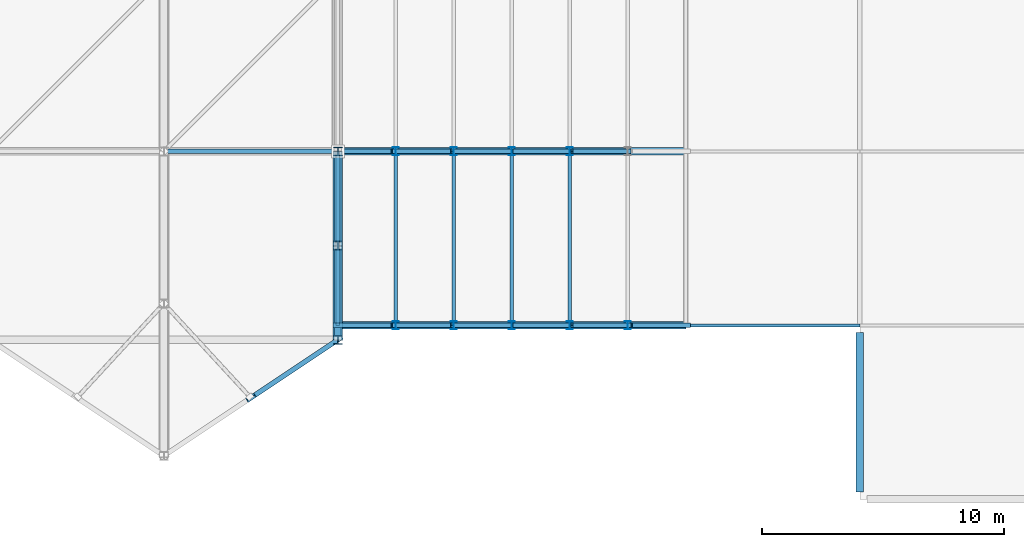
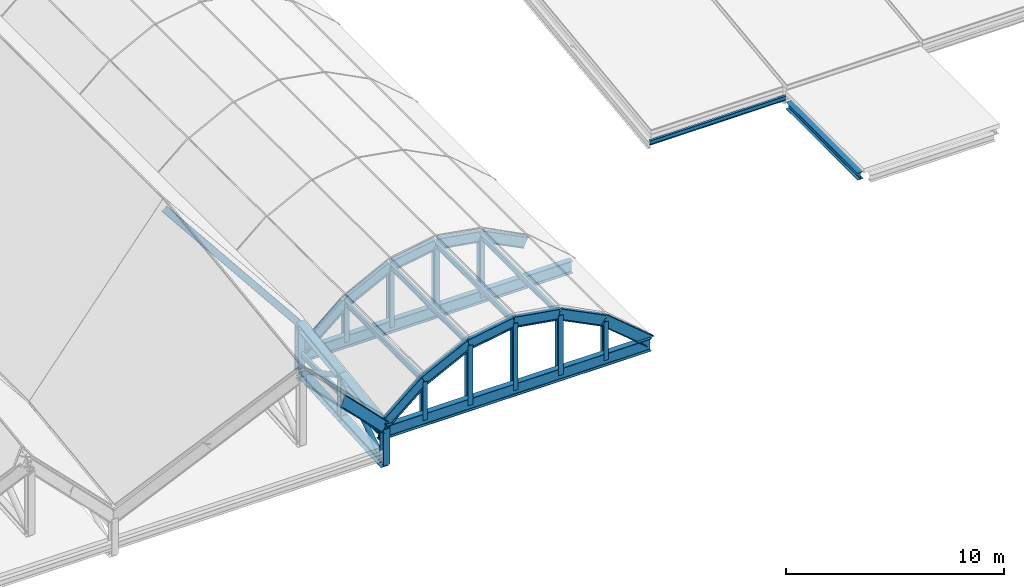
# One storey, part 14 of 60: 37 members, 3 beams.
"""IFC4 building model written with IfcOpenShell, lengths in metres."""

from ifc_helpers import new_model, si_unit, direction, frame, origin, origin_2d, place, context, subcontext, project, spatial, hollow_circle, i_section, extrude, material, material_profile, profile_set, type_object, element, save


model = new_model("IFC4")

# Units and contexts
model_context = context("Model", 3, precision=1e-05, world=origin(), true_north=direction((0.0, 1.0)))
body_context = subcontext(model_context, "Body", "Model", "MODEL_VIEW")
ifc_project = project(units=[si_unit("LENGTHUNIT", "METRE"), si_unit("AREAUNIT", "SQUARE_METRE"), si_unit("VOLUMEUNIT", "CUBIC_METRE"), si_unit("PLANEANGLEUNIT", "RADIAN"), si_unit("MASSUNIT", "GRAM", prefix="KILO")], contexts=[model_context])

# Site, building, storey
site_placement = place(None, origin())
site = spatial("IfcSite", under=ifc_project, at=site_placement, CompositionType="ELEMENT")
building_placement = place(site_placement, origin())
building = spatial("IfcBuilding", under=site, at=building_placement, Name="Vesperath Aquatics Centre", CompositionType="ELEMENT")
storey_placement = place(building_placement, frame((0.0, 0.0, 27.60009765625)))
storey = spatial("IfcBuildingStorey", under=building, at=storey_placement, Name="RF", CompositionType="ELEMENT", Elevation=27.60009765625)

# Beams
ifc_material_1 = material(Name="Steel Q355C", Category="steel")
ifc_material_profile_1 = material_profile(ifc_material_1, i_section(OverallWidth=0.300048828125, OverallDepth=0.389892578125, WebThickness=0.010009765625, FlangeThickness=0.01611328125, FilletRadius=0.02197265625, at=origin_2d()), Name="HM 390x300x10x16")
ifc_profile_set_1 = profile_set([ifc_material_profile_1], Name="Steel Q355C")
beam_type_1 = type_object("IfcBeamType", Name="BM-RB09", PredefinedType="BEAM", material=ifc_profile_set_1)
beam_placement = place(storey_placement, frame((122.39990234375, 0.300048828125, -0.5), z_axis=(0.0, 1.0, 0.0), x_axis=(-1.0, 0.0, 0.0)))
element("IfcBeam", 1, at=beam_placement, inside=storey, type_object=beam_type_1, Name="Core C5 Headhouse Roof Beam B11-W", PredefinedType="BEAM", context=body_context, shape_type="SweptSolid", body=[
    extrude(i_section(OverallWidth=0.300048828125, OverallDepth=0.389892578125, WebThickness=0.010009765625, FlangeThickness=0.01611328125, FilletRadius=0.02197265625, at=origin_2d()), origin(), (0.0, 0.0, 1.0), 6.599853515625),
])
ifc_material_2 = material(Name="Steel Q355D", Category="steel")
ifc_material_profile_2 = material_profile(ifc_material_2, i_section(OverallWidth=0.300048828125, OverallDepth=0.699951171875, WebThickness=0.012939453125, FlangeThickness=0.02392578125, FilletRadius=0.028076171875, at=origin_2d()), Name="HN 700x300x13x24")
ifc_profile_set_2 = profile_set([ifc_material_profile_2], Name="Steel Q355D")
beam_type_2 = type_object("IfcBeamType", Name="BM-RB10", PredefinedType="BEAM", material=ifc_profile_set_2)
for number, where, z_axis, x_axis, name in (
    (2, (100.800048828125, 7.199951171875, -11.550048828125), (1.0, 0.0, 0.0), (0.0, 1.0, 0.0), "Conservatory Arch Tie Beam B08 B"),
    (3, (100.800048828125, 14.39990234375, -11.550048828125), (1.0, 0.0, 0.0), (0.0, 1.0, 0.0), "Conservatory Arch Tie Beam B08 C"),
):
    element("IfcBeam", number, at=place(storey_placement, frame(where, z_axis=z_axis, x_axis=x_axis)), inside=storey, type_object=beam_type_2, Name=name, PredefinedType="BEAM", context=body_context, shape_type="SweptSolid", body=[
        extrude(i_section(OverallWidth=0.300048828125, OverallDepth=0.699951171875, WebThickness=0.012939453125, FlangeThickness=0.02392578125, FilletRadius=0.028076171875, at=origin_2d()), origin(), (0.0, 0.0, 1.0), 14.39990234375),
    ])

# Members
ifc_material_profile_3 = material_profile(ifc_material_2, i_section(OverallWidth=0.199951171875, OverallDepth=0.60009765625, WebThickness=0.010986328125, FlangeThickness=0.01708984375, FilletRadius=0.02197265625, at=origin_2d()), Name="HN 600x200x11x17")
ifc_profile_set_3 = profile_set([ifc_material_profile_3], Name="Steel Q355D")
member_type_1 = type_object("IfcMemberType", Name="MB-AR01", PredefinedType="RAFTER", material=ifc_profile_set_3)
member_1_placement = place(storey_placement, frame((100.800048828125, 6.60009765625, -10.8408203125), z_axis=(-0.598412396248, -0.398955124611, 0.694793071759), x_axis=(0.554713217289, -0.832041613482, 0.0)))
element("IfcMember", 4, at=member_1_placement, inside=storey, type_object=member_type_1, Name="Natatorium Cutback Hood Verge Rafter AR01 B14A", PredefinedType="RAFTER", context=body_context, shape_type="SweptSolid", body=[
    extrude(i_section(OverallWidth=0.199951171875, OverallDepth=0.60009765625, WebThickness=0.010986328125, FlangeThickness=0.01708984375, FilletRadius=0.02197265625, at=origin_2d()), origin(), (0.0, 0.0, 1.0), 6.01611328125),
])
member_2_placement = place(storey_placement, frame((100.800048828125, 7.199951171875, -11.400146484375), z_axis=(0.768208468069, 0.0, 0.640199773186), x_axis=(0.0, 1.0, 0.0)))
element("IfcMember", 5, at=member_2_placement, inside=storey, type_object=member_type_1, Name="Conservatory Vault Arch Rib AR01 B-1", PredefinedType="RAFTER", context=body_context, shape_type="SweptSolid", body=[
    extrude(i_section(OverallWidth=0.199951171875, OverallDepth=0.60009765625, WebThickness=0.010986328125, FlangeThickness=0.01708984375, FilletRadius=0.02197265625, at=origin_2d()), origin(), (0.0, 0.0, 1.0), 3.1240234375),
])
member_3_placement = place(storey_placement, frame((103.199951171875, 7.199951171875, -9.400146484375), z_axis=(0.894445386687, 0.0, 0.447177202275), x_axis=(0.0, 1.0, 0.0)))
element("IfcMember", 6, at=member_3_placement, inside=storey, type_object=member_type_1, Name="Conservatory Vault Arch Rib AR01 B-2", PredefinedType="RAFTER", context=body_context, shape_type="SweptSolid", body=[
    extrude(i_section(OverallWidth=0.199951171875, OverallDepth=0.60009765625, WebThickness=0.010986328125, FlangeThickness=0.01708984375, FilletRadius=0.02197265625, at=origin_2d()), origin(), (0.0, 0.0, 1.0), 2.683349609375),
])
for number, where, z_axis, x_axis, name in (
    (7, (105.60009765625, 7.199951171875, -8.2001953125), (0.986383073668, 0.0, 0.16446407505), (0.0, 1.0, 0.0), "Conservatory Vault Arch Rib AR01 B-3"),
    (8, (108.0, 7.199951171875, -7.800048828125), (0.986383073668, 0.0, -0.16446407505), (0.0, 1.0, 0.0), "Conservatory Vault Arch Rib AR01 B-4"),
):
    element("IfcMember", number, at=place(storey_placement, frame(where, z_axis=z_axis, x_axis=x_axis)), inside=storey, type_object=member_type_1, Name=name, PredefinedType="RAFTER", context=body_context, shape_type="SweptSolid", body=[
        extrude(i_section(OverallWidth=0.199951171875, OverallDepth=0.60009765625, WebThickness=0.010986328125, FlangeThickness=0.01708984375, FilletRadius=0.02197265625, at=origin_2d()), origin(), (0.0, 0.0, 1.0), 2.43310546875),
    ])
member_4_placement = place(storey_placement, frame((110.39990234375, 7.199951171875, -8.2001953125), z_axis=(0.894445386687, 0.0, -0.447177202275), x_axis=(0.0, 1.0, 0.0)))
element("IfcMember", 9, at=member_4_placement, inside=storey, type_object=member_type_1, Name="Conservatory Vault Arch Rib AR01 B-5", PredefinedType="RAFTER", context=body_context, shape_type="SweptSolid", body=[
    extrude(i_section(OverallWidth=0.199951171875, OverallDepth=0.60009765625, WebThickness=0.010986328125, FlangeThickness=0.01708984375, FilletRadius=0.02197265625, at=origin_2d()), origin(), (0.0, 0.0, 1.0), 2.683349609375),
])
for number, where, z_axis, x_axis, name in (
    (10, (112.800048828125, 7.199951171875, -9.400146484375), (0.768208468069, 0.0, -0.640199773186), (0.0, 1.0, 0.0), "Conservatory Vault Arch Rib AR01 B-6"),
    (11, (100.800048828125, 14.39990234375, -11.400146484375), (0.768208468069, 0.0, 0.640199773186), (0.0, 1.0, 0.0), "Conservatory Vault Arch Rib AR01 C-1"),
):
    element("IfcMember", number, at=place(storey_placement, frame(where, z_axis=z_axis, x_axis=x_axis)), inside=storey, type_object=member_type_1, Name=name, PredefinedType="RAFTER", context=body_context, shape_type="SweptSolid", body=[
        extrude(i_section(OverallWidth=0.199951171875, OverallDepth=0.60009765625, WebThickness=0.010986328125, FlangeThickness=0.01708984375, FilletRadius=0.02197265625, at=origin_2d()), origin(), (0.0, 0.0, 1.0), 3.1240234375),
    ])
member_5_placement = place(storey_placement, frame((103.199951171875, 14.39990234375, -9.400146484375), z_axis=(0.894445386687, 0.0, 0.447177202275), x_axis=(0.0, 1.0, 0.0)))
element("IfcMember", 12, at=member_5_placement, inside=storey, type_object=member_type_1, Name="Conservatory Vault Arch Rib AR01 C-2", PredefinedType="RAFTER", context=body_context, shape_type="SweptSolid", body=[
    extrude(i_section(OverallWidth=0.199951171875, OverallDepth=0.60009765625, WebThickness=0.010986328125, FlangeThickness=0.01708984375, FilletRadius=0.02197265625, at=origin_2d()), origin(), (0.0, 0.0, 1.0), 2.683349609375),
])
for number, where, z_axis, x_axis, name in (
    (13, (105.60009765625, 14.39990234375, -8.2001953125), (0.986383073668, 0.0, 0.16446407505), (0.0, 1.0, 0.0), "Conservatory Vault Arch Rib AR01 C-3"),
    (14, (108.0, 14.39990234375, -7.800048828125), (0.986383073668, 0.0, -0.16446407505), (0.0, 1.0, 0.0), "Conservatory Vault Arch Rib AR01 C-4"),
):
    element("IfcMember", number, at=place(storey_placement, frame(where, z_axis=z_axis, x_axis=x_axis)), inside=storey, type_object=member_type_1, Name=name, PredefinedType="RAFTER", context=body_context, shape_type="SweptSolid", body=[
        extrude(i_section(OverallWidth=0.199951171875, OverallDepth=0.60009765625, WebThickness=0.010986328125, FlangeThickness=0.01708984375, FilletRadius=0.02197265625, at=origin_2d()), origin(), (0.0, 0.0, 1.0), 2.43310546875),
    ])
member_6_placement = place(storey_placement, frame((110.39990234375, 14.39990234375, -8.2001953125), z_axis=(0.894445386687, 0.0, -0.447177202275), x_axis=(0.0, 1.0, 0.0)))
element("IfcMember", 15, at=member_6_placement, inside=storey, type_object=member_type_1, Name="Conservatory Vault Arch Rib AR01 C-5", PredefinedType="RAFTER", context=body_context, shape_type="SweptSolid", body=[
    extrude(i_section(OverallWidth=0.199951171875, OverallDepth=0.60009765625, WebThickness=0.010986328125, FlangeThickness=0.01708984375, FilletRadius=0.02197265625, at=origin_2d()), origin(), (0.0, 0.0, 1.0), 2.683349609375),
])
ifc_material_profile_4 = material_profile(ifc_material_2, i_section(OverallWidth=0.39990234375, OverallDepth=0.39990234375, WebThickness=0.012939453125, FlangeThickness=0.02099609375, FilletRadius=0.02197265625, at=origin_2d()), Name="HW 400x400x13x21")
ifc_profile_set_4 = profile_set([ifc_material_profile_4], Name="Steel Q355D")
member_type_2 = type_object("IfcMemberType", Name="MB-BC01", PredefinedType="CHORD", material=ifc_profile_set_4)
for number, where, z_axis, x_axis, name in (
    (16, (100.800048828125, 6.60009765625, -12.868408203125), (0.0, 0.998202752751, 0.059927159127), (-1.0, 0.0, 0.0), "Natatorium ROOF TRUSS Bottom Chord BC01 G15-1"),
    (17, (100.800048828125, 10.5, -12.63427734375), (0.0, 0.998202752751, 0.059927159127), (-1.0, 0.0, 0.0), "Natatorium ROOF TRUSS Bottom Chord BC01 G15-2"),
):
    element("IfcMember", number, at=place(storey_placement, frame(where, z_axis=z_axis, x_axis=x_axis)), inside=storey, type_object=member_type_2, Name=name, PredefinedType="CHORD", context=body_context, shape_type="SweptSolid", body=[
        extrude(i_section(OverallWidth=0.39990234375, OverallDepth=0.39990234375, WebThickness=0.012939453125, FlangeThickness=0.02099609375, FilletRadius=0.02197265625, at=origin_2d()), origin(), (0.0, 0.0, 1.0), 3.906982421875),
    ])
ifc_material_profile_5 = material_profile(ifc_material_1, i_section(OverallWidth=0.175048828125, OverallDepth=0.35009765625, WebThickness=0.007080078125, FlangeThickness=0.010986328125, FilletRadius=0.012939453125, at=origin_2d()), Name="HN 350x175x7x11")
ifc_profile_set_5 = profile_set([ifc_material_profile_5], Name="Steel Q355C")
member_type_3 = type_object("IfcMemberType", Name="MB-PR01", PredefinedType="PURLIN", material=ifc_profile_set_5)
member_7_placement = place(storey_placement, frame((93.60009765625, 14.39990234375, -0.800048828125), z_axis=(0.624692464322, 0.0, -0.780870876022), x_axis=(0.0, 1.0, 0.0)))
element("IfcMember", 18, at=member_7_placement, inside=storey, type_object=member_type_3, Name="Natatorium Roof Purlin PR01 B14-1", PredefinedType="PURLIN", context=body_context, shape_type="SweptSolid", body=[
    extrude(i_section(OverallWidth=0.175048828125, OverallDepth=0.35009765625, WebThickness=0.007080078125, FlangeThickness=0.010986328125, FilletRadius=0.012939453125, at=origin_2d()), origin(), (0.0, 0.0, 1.0), 11.525634765625),
])
ifc_material_profile_6 = material_profile(ifc_material_1, i_section(OverallWidth=0.14990234375, OverallDepth=0.300048828125, WebThickness=0.006591796875, FlangeThickness=0.009033203125, FilletRadius=0.012939453125, at=origin_2d()), Name="HN 300x150x6.5x9")
ifc_profile_set_6 = profile_set([ifc_material_profile_6], Name="Steel Q355C")
member_type_4 = type_object("IfcMemberType", Name="MB-PR02", PredefinedType="PURLIN", material=ifc_profile_set_6)
for number, where, z_axis, x_axis, name in (
    (19, (100.800048828125, 7.199951171875, -11.400146484375), (0.0, 1.0, 0.0), (-1.0, 0.0, 0.0), "Conservatory Vault Purlin PR02 B-1"),
    (20, (103.199951171875, 7.199951171875, -9.400146484375), (0.0, 1.0, 0.0), (-1.0, 0.0, 0.0), "Conservatory Vault Purlin PR02 B-2"),
    (21, (105.60009765625, 7.199951171875, -8.2001953125), (0.0, 1.0, 0.0), (-1.0, 0.0, 0.0), "Conservatory Vault Purlin PR02 B-3"),
    (22, (108.0, 7.199951171875, -7.800048828125), (0.0, 1.0, 0.0), (-1.0, 0.0, 0.0), "Conservatory Vault Purlin PR02 B-4"),
    (23, (110.39990234375, 7.199951171875, -8.2001953125), (0.0, 1.0, 0.0), (-1.0, 0.0, 0.0), "Conservatory Vault Purlin PR02 B-5"),
):
    element("IfcMember", number, at=place(storey_placement, frame(where, z_axis=z_axis, x_axis=x_axis)), inside=storey, type_object=member_type_4, Name=name, PredefinedType="PURLIN", context=body_context, shape_type="SweptSolid", body=[
        extrude(i_section(OverallWidth=0.14990234375, OverallDepth=0.300048828125, WebThickness=0.006591796875, FlangeThickness=0.009033203125, FilletRadius=0.012939453125, at=origin_2d()), origin(), (0.0, 0.0, 1.0), 7.199951171875),
    ])
ifc_material_profile_7 = material_profile(ifc_material_1, i_section(OverallWidth=0.125, OverallDepth=0.25, WebThickness=0.006103515625, FlangeThickness=0.009033203125, FilletRadius=0.010009765625, at=origin_2d()), Name="HN 250x125x6x9")
ifc_profile_set_7 = profile_set([ifc_material_profile_7], Name="Steel Q355C")
member_type_5 = type_object("IfcMemberType", Name="MB-PR03", PredefinedType="PURLIN", material=ifc_profile_set_7)
member_8_placement = place(storey_placement, frame((115.199951171875, 7.199951171875, -0.2900390625), z_axis=(1.0, 0.0, 0.0), x_axis=(0.0, 1.0, 0.0)))
element("IfcMember", 24, at=member_8_placement, inside=storey, type_object=member_type_5, Name="Boulevard Wing Roof Purlin PR03 17-1", PredefinedType="PURLIN", context=body_context, shape_type="SweptSolid", body=[
    extrude(i_section(OverallWidth=0.125, OverallDepth=0.25, WebThickness=0.006103515625, FlangeThickness=0.009033203125, FilletRadius=0.010009765625, at=origin_2d()), origin(), (0.0, 0.0, 1.0), 7.199951171875),
])
ifc_material_profile_8 = material_profile(ifc_material_2, i_section(OverallWidth=0.39990234375, OverallDepth=0.39990234375, WebThickness=0.012939453125, FlangeThickness=0.02099609375, FilletRadius=0.02197265625, at=origin_2d()), Name="HW 400x400x13x21")
ifc_profile_set_8 = profile_set([ifc_material_profile_8], Name="Steel Q355D")
member_type_6 = type_object("IfcMemberType", Name="MB-TC02", PredefinedType="CHORD", material=ifc_profile_set_8)
for number, where, z_axis, x_axis, name in (
    (25, (100.800048828125, 6.60009765625, -10.8408203125), (0.0, 0.991218685313, 0.132232816978), (-1.0, 0.0, 0.0), "Natatorium ROOF TRUSS Top Chord TC02 G15-1"),
    (26, (100.800048828125, 10.5, -10.320556640625), (0.0, 0.991210550247, 0.132293783218), (-1.0, 0.0, 0.0), "Natatorium ROOF TRUSS Top Chord TC02 G15-2"),
):
    element("IfcMember", number, at=place(storey_placement, frame(where, z_axis=z_axis, x_axis=x_axis)), inside=storey, type_object=member_type_6, Name=name, PredefinedType="CHORD", context=body_context, shape_type="SweptSolid", body=[
        extrude(i_section(OverallWidth=0.39990234375, OverallDepth=0.39990234375, WebThickness=0.012939453125, FlangeThickness=0.02099609375, FilletRadius=0.02197265625, at=origin_2d()), origin(), (0.0, 0.0, 1.0), 3.9345703125),
    ])
ifc_material_profile_9 = material_profile(ifc_material_2, hollow_circle(Radius=0.136474609375, WallThickness=0.011962890625, at=origin_2d()), Name="CHS 273.0x12")
ifc_profile_set_9 = profile_set([ifc_material_profile_9], Name="Steel Q355D")
member_type_7 = type_object("IfcMemberType", Name="MB-TD02", PredefinedType="BRACE", material=ifc_profile_set_9)
member_9_placement = place(storey_placement, frame((100.800048828125, 6.6669921875, -12.82470703125), z_axis=(0.0, 0.837174151823, 0.546936412684), x_axis=(-1.0, 0.0, 0.0)))
element("IfcMember", 27, at=member_9_placement, inside=storey, type_object=member_type_7, Name="Natatorium ROOF TRUSS Diagonal TD02 G15-1", PredefinedType="BRACE", context=body_context, shape_type="SweptSolid", body=[
    extrude(hollow_circle(Radius=0.136474609375, WallThickness=0.011962890625, at=origin_2d()), origin(), (0.0, 0.0, 1.0), 4.49853515625),
])
member_10_placement = place(storey_placement, frame((100.800048828125, 10.570556640625, -10.358154296875), z_axis=(0.0, 0.882381496589, -0.470534689984), x_axis=(-1.0, 0.0, 0.0)))
element("IfcMember", 28, at=member_10_placement, inside=storey, type_object=member_type_7, Name="Natatorium ROOF TRUSS Diagonal TD02 G15-2", PredefinedType="BRACE", context=body_context, shape_type="SweptSolid", body=[
    extrude(hollow_circle(Radius=0.136474609375, WallThickness=0.011962890625, at=origin_2d()), origin(), (0.0, 0.0, 1.0), 4.259765625),
])
ifc_material_profile_10 = material_profile(ifc_material_2, i_section(OverallWidth=0.35009765625, OverallDepth=0.35009765625, WebThickness=0.011962890625, FlangeThickness=0.01904296875, FilletRadius=0.02001953125, at=origin_2d()), Name="HW 350x350x12x19")
ifc_profile_set_10 = profile_set([ifc_material_profile_10], Name="Steel Q355D")
member_type_8 = type_object("IfcMemberType", Name="MB-TP01", PredefinedType="POST", material=ifc_profile_set_10)
member_11_placement = place(storey_placement, frame((100.800048828125, 6.60009765625, -12.868408203125), z_axis=(0.0, 0.0, 1.0), x_axis=(1.0, 0.0, 0.0)))
element("IfcMember", 29, at=member_11_placement, inside=storey, type_object=member_type_8, Name="Natatorium ROOF TRUSS Post TP01 G15-1", PredefinedType="POST", context=body_context, shape_type="SweptSolid", body=[
    extrude(i_section(OverallWidth=0.35009765625, OverallDepth=0.35009765625, WebThickness=0.011962890625, FlangeThickness=0.01904296875, FilletRadius=0.02001953125, at=origin_2d()), origin(), (0.0, 0.0, 1.0), 2.027587890625),
])
member_12_placement = place(storey_placement, frame((100.800048828125, 10.5, -12.63427734375), z_axis=(0.0, 0.0, 1.0), x_axis=(1.0, 0.0, 0.0)))
element("IfcMember", 30, at=member_12_placement, inside=storey, type_object=member_type_8, Name="Natatorium ROOF TRUSS Post TP01 G15-2", PredefinedType="POST", context=body_context, shape_type="SweptSolid", body=[
    extrude(i_section(OverallWidth=0.35009765625, OverallDepth=0.35009765625, WebThickness=0.011962890625, FlangeThickness=0.01904296875, FilletRadius=0.02001953125, at=origin_2d()), origin(), (0.0, 0.0, 1.0), 2.313720703125),
])
member_13_placement = place(storey_placement, frame((100.800048828125, 14.39990234375, -12.400146484375), z_axis=(0.0, 0.0, 1.0), x_axis=(1.0, 0.0, 0.0)))
element("IfcMember", 31, at=member_13_placement, inside=storey, type_object=member_type_8, Name="Natatorium ROOF TRUSS Post TP01 G15-3", PredefinedType="POST", context=body_context, shape_type="SweptSolid", body=[
    extrude(i_section(OverallWidth=0.35009765625, OverallDepth=0.35009765625, WebThickness=0.011962890625, FlangeThickness=0.01904296875, FilletRadius=0.02001953125, at=origin_2d()), origin(), (0.0, 0.0, 1.0), 2.60009765625),
])
ifc_material_profile_11 = material_profile(ifc_material_2, i_section(OverallWidth=0.25, OverallDepth=0.340087890625, WebThickness=0.009033203125, FlangeThickness=0.013916015625, FilletRadius=0.02001953125, at=origin_2d()), Name="HM 340x250x9x14")
ifc_profile_set_11 = profile_set([ifc_material_profile_11], Name="Steel Q355D")
member_type_9 = type_object("IfcMemberType", Name="MB-TP02", PredefinedType="POST", material=ifc_profile_set_11)
member_14_placement = place(storey_placement, frame((103.199951171875, 7.199951171875, -11.550048828125), z_axis=(0.0, 0.0, 1.0), x_axis=(1.0, 0.0, 0.0)))
element("IfcMember", 32, at=member_14_placement, inside=storey, type_object=member_type_9, Name="Conservatory Vault Post TP02 B-1", PredefinedType="POST", context=body_context, shape_type="SweptSolid", body=[
    extrude(i_section(OverallWidth=0.25, OverallDepth=0.340087890625, WebThickness=0.009033203125, FlangeThickness=0.013916015625, FilletRadius=0.02001953125, at=origin_2d()), origin(), (0.0, 0.0, 1.0), 2.14990234375),
])
member_15_placement = place(storey_placement, frame((105.60009765625, 7.199951171875, -11.550048828125), z_axis=(0.0, 0.0, 1.0), x_axis=(1.0, 0.0, 0.0)))
element("IfcMember", 33, at=member_15_placement, inside=storey, type_object=member_type_9, Name="Conservatory Vault Post TP02 B-2", PredefinedType="POST", context=body_context, shape_type="SweptSolid", body=[
    extrude(i_section(OverallWidth=0.25, OverallDepth=0.340087890625, WebThickness=0.009033203125, FlangeThickness=0.013916015625, FilletRadius=0.02001953125, at=origin_2d()), origin(), (0.0, 0.0, 1.0), 3.349853515625),
])
member_16_placement = place(storey_placement, frame((108.0, 7.199951171875, -11.550048828125), z_axis=(0.0, 0.0, 1.0), x_axis=(1.0, 0.0, 0.0)))
element("IfcMember", 34, at=member_16_placement, inside=storey, type_object=member_type_9, Name="Conservatory Vault Post TP02 B-3", PredefinedType="POST", context=body_context, shape_type="SweptSolid", body=[
    extrude(i_section(OverallWidth=0.25, OverallDepth=0.340087890625, WebThickness=0.009033203125, FlangeThickness=0.013916015625, FilletRadius=0.02001953125, at=origin_2d()), origin(), (0.0, 0.0, 1.0), 3.75),
])
member_17_placement = place(storey_placement, frame((110.39990234375, 7.199951171875, -11.550048828125), z_axis=(0.0, 0.0, 1.0), x_axis=(1.0, 0.0, 0.0)))
element("IfcMember", 35, at=member_17_placement, inside=storey, type_object=member_type_9, Name="Conservatory Vault Post TP02 B-4", PredefinedType="POST", context=body_context, shape_type="SweptSolid", body=[
    extrude(i_section(OverallWidth=0.25, OverallDepth=0.340087890625, WebThickness=0.009033203125, FlangeThickness=0.013916015625, FilletRadius=0.02001953125, at=origin_2d()), origin(), (0.0, 0.0, 1.0), 3.349853515625),
])
for number, where, z_axis, x_axis, name in (
    (36, (112.800048828125, 7.199951171875, -11.550048828125), (0.0, 0.0, 1.0), (1.0, 0.0, 0.0), "Conservatory Vault Post TP02 B-5"),
    (37, (103.199951171875, 14.39990234375, -11.550048828125), (0.0, 0.0, 1.0), (1.0, 0.0, 0.0), "Conservatory Vault Post TP02 C-1"),
):
    element("IfcMember", number, at=place(storey_placement, frame(where, z_axis=z_axis, x_axis=x_axis)), inside=storey, type_object=member_type_9, Name=name, PredefinedType="POST", context=body_context, shape_type="SweptSolid", body=[
        extrude(i_section(OverallWidth=0.25, OverallDepth=0.340087890625, WebThickness=0.009033203125, FlangeThickness=0.013916015625, FilletRadius=0.02001953125, at=origin_2d()), origin(), (0.0, 0.0, 1.0), 2.14990234375),
    ])
member_18_placement = place(storey_placement, frame((105.60009765625, 14.39990234375, -11.550048828125), z_axis=(0.0, 0.0, 1.0), x_axis=(1.0, 0.0, 0.0)))
element("IfcMember", 38, at=member_18_placement, inside=storey, type_object=member_type_9, Name="Conservatory Vault Post TP02 C-2", PredefinedType="POST", context=body_context, shape_type="SweptSolid", body=[
    extrude(i_section(OverallWidth=0.25, OverallDepth=0.340087890625, WebThickness=0.009033203125, FlangeThickness=0.013916015625, FilletRadius=0.02001953125, at=origin_2d()), origin(), (0.0, 0.0, 1.0), 3.349853515625),
])
member_19_placement = place(storey_placement, frame((108.0, 14.39990234375, -11.550048828125), z_axis=(0.0, 0.0, 1.0), x_axis=(1.0, 0.0, 0.0)))
element("IfcMember", 39, at=member_19_placement, inside=storey, type_object=member_type_9, Name="Conservatory Vault Post TP02 C-3", PredefinedType="POST", context=body_context, shape_type="SweptSolid", body=[
    extrude(i_section(OverallWidth=0.25, OverallDepth=0.340087890625, WebThickness=0.009033203125, FlangeThickness=0.013916015625, FilletRadius=0.02001953125, at=origin_2d()), origin(), (0.0, 0.0, 1.0), 3.75),
])
member_20_placement = place(storey_placement, frame((110.39990234375, 14.39990234375, -11.550048828125), z_axis=(0.0, 0.0, 1.0), x_axis=(1.0, 0.0, 0.0)))
element("IfcMember", 40, at=member_20_placement, inside=storey, type_object=member_type_9, Name="Conservatory Vault Post TP02 C-4", PredefinedType="POST", context=body_context, shape_type="SweptSolid", body=[
    extrude(i_section(OverallWidth=0.25, OverallDepth=0.340087890625, WebThickness=0.009033203125, FlangeThickness=0.013916015625, FilletRadius=0.02001953125, at=origin_2d()), origin(), (0.0, 0.0, 1.0), 3.349853515625),
])

save(model, "model.ifc")
